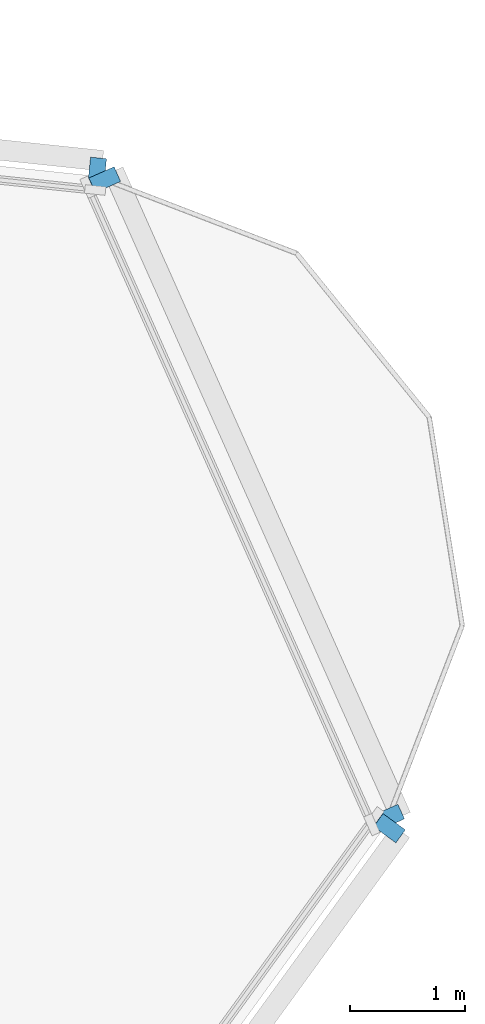
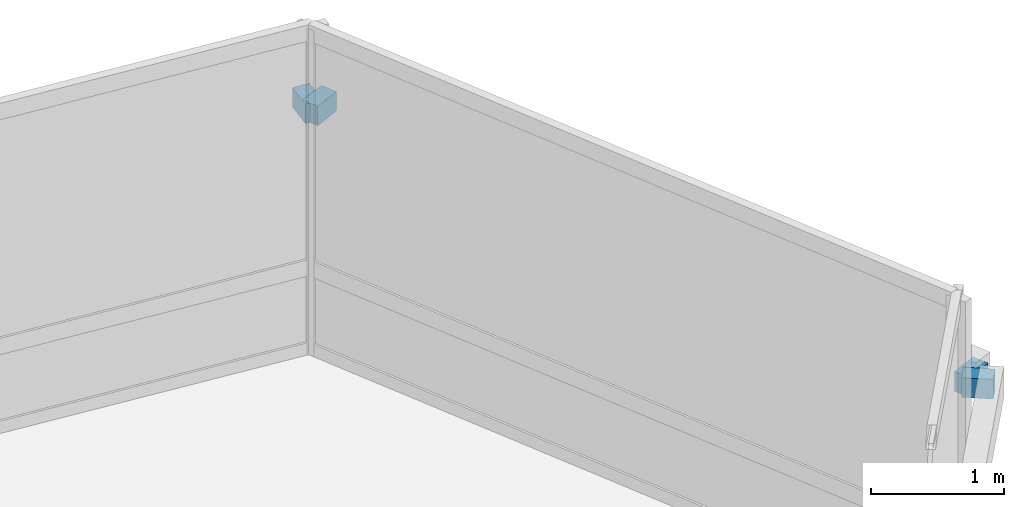
# One storey, part 11 of 14: 4 discrete accessories.
"""IFC4 building model written with IfcOpenShell, lengths in metres."""

from ifc_helpers import new_model, si_unit, direction, frame, origin, origin_2d, place, context, subcontext, project, spatial, rectangle, extrude, material, type_object, element, save


model = new_model("IFC4")

# Units and contexts
model_context = context("Model", 3, precision=1e-05, world=origin(), true_north=direction((0.0, 1.0)))
body_context = subcontext(model_context, "Body", "Model", "MODEL_VIEW")
ifc_project = project(units=[si_unit("LENGTHUNIT", "METRE"), si_unit("AREAUNIT", "SQUARE_METRE"), si_unit("VOLUMEUNIT", "CUBIC_METRE"), si_unit("PLANEANGLEUNIT", "RADIAN"), si_unit("MASSUNIT", "GRAM", prefix="KILO")], contexts=[model_context])

# Site, building, storey
site_placement = place(None, origin())
site = spatial("IfcSite", under=ifc_project, at=site_placement, CompositionType="ELEMENT")
building_placement = place(site_placement, origin())
building = spatial("IfcBuilding", under=site, at=building_placement, Name="Terralouvre Media Tower", CompositionType="ELEMENT")
storey_placement = place(building_placement, frame((0.0, 0.0, 226.300048828125)))
storey = spatial("IfcBuildingStorey", under=building, at=storey_placement, Name="L58", CompositionType="ELEMENT", Elevation=226.300048828125)

# Discrete accessories
ifc_material = material(Name="Anodised extruded aluminium 6063-T6", Category="aluminium")
discrete_accessory_type = type_object("IfcDiscreteAccessoryType", Name="Mullion Stand-Off Baguette Fixing Bracket BK-01", PredefinedType="BRACKET", material=ifc_material)
for number, where, z_axis, x_axis, name in (
    (1, (26.880615234375, 8.544189453125, 2.07421875), (0.0, 0.0, 1.0), (0.587785300879, 0.809016959074, 0.0), "CW-L58-F0 Baguette Outrigger Bracket 1.06"),
    (2, (24.336181640625, 14.259033203125, 2.07421875), (0.0, 0.0, 1.0), (-0.994521885028, 0.104528561651, 0.0), "CW-L58-F1 Baguette Outrigger Bracket 1.01"),
    (3, (26.873291015625, 8.640380859375, 2.07421875), (0.0, 0.0, 1.0), (-0.406737441315, 0.913545102243, 0.0), "CW-L58-C1 Baguette Outrigger Bracket 1.01"),
    (4, (24.40283203125, 14.189208984375, 2.07421875), (0.0, 0.0, 1.0), (-0.406737441315, 0.913545102243, 0.0), "CW-L58-C1 Baguette Outrigger Bracket 1.02"),
):
    element("IfcDiscreteAccessory", number, at=place(storey_placement, frame(where, z_axis=z_axis, x_axis=x_axis)), inside=storey, type_object=discrete_accessory_type, Name=name, PredefinedType="BRACKET", context=body_context, shape_type="SweptSolid", body=[
        extrude(rectangle(XDim=0.139892578125, YDim=0.239990234375, at=origin_2d()), origin(), (0.0, 0.0, 1.0), 0.179931640625),
    ])

save(model, "model.ifc")
